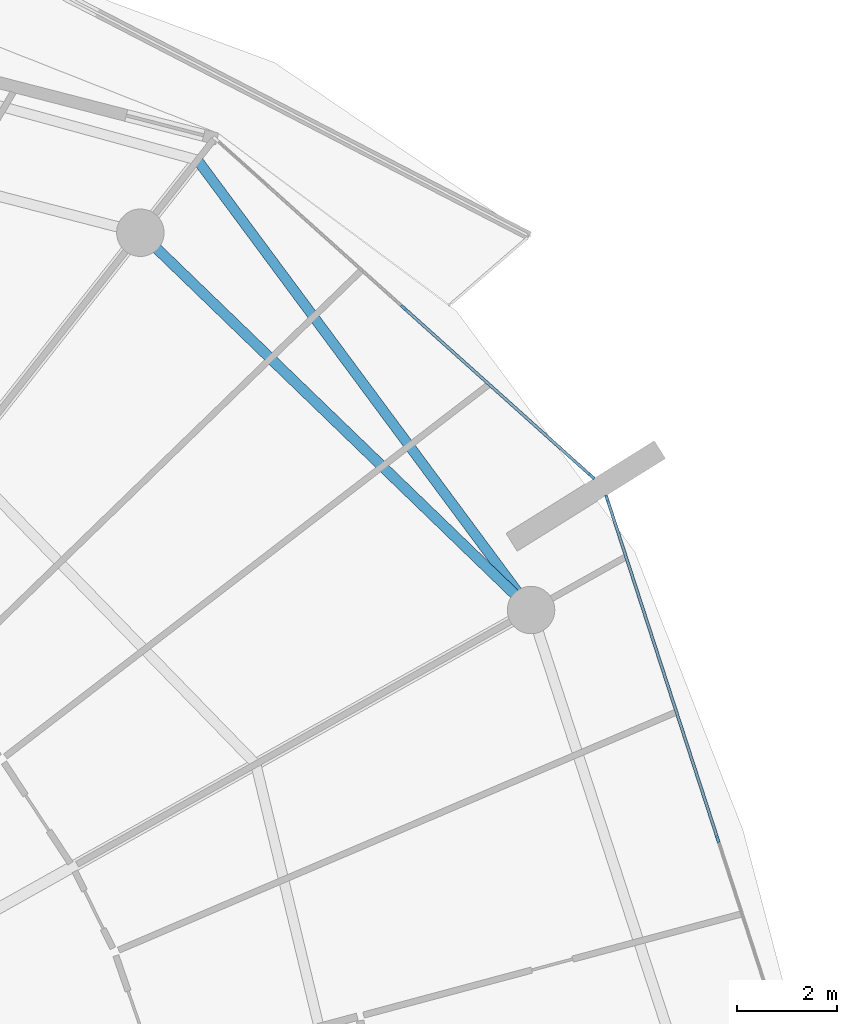
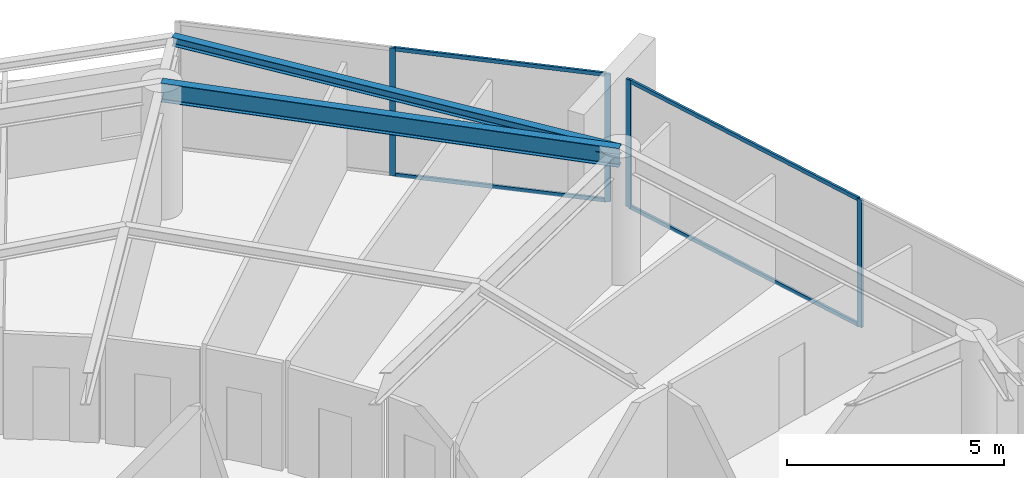
# One storey, part 16 of 31: 8 members, 2 beams, 2 elements without a shape of their own.
"""IFC4 building model written with IfcOpenShell, lengths in metres."""

from ifc_helpers import new_model, si_unit, direction, frame, origin, origin_2d, place, context, subcontext, project, spatial, rectangle, i_section, extrude, material, layer, layer_set, material_profile, profile_set, type_object, element, aggregate, save


model = new_model("IFC4")

# Units and contexts
model_context = context("Model", 3, precision=1e-05, world=origin(), true_north=direction((0.0, 1.0)))
body_context = subcontext(model_context, "Body", "Model", "MODEL_VIEW")
ifc_project = project(units=[si_unit("LENGTHUNIT", "METRE"), si_unit("AREAUNIT", "SQUARE_METRE"), si_unit("VOLUMEUNIT", "CUBIC_METRE"), si_unit("PLANEANGLEUNIT", "RADIAN"), si_unit("MASSUNIT", "GRAM", prefix="KILO")], contexts=[model_context])

# Site, building, storey
site_placement = place(None, origin())
site = spatial("IfcSite", under=ifc_project, at=site_placement, CompositionType="ELEMENT")
building_placement = place(site_placement, origin())
building = spatial("IfcBuilding", under=site, at=building_placement, Name="Kazma Halo Residences", CompositionType="ELEMENT")
storey_placement = place(building_placement, frame((0.0, 0.0, 271.35009765625)))
storey = spatial("IfcBuildingStorey", under=building, at=storey_placement, Name="L68", CompositionType="ELEMENT", Elevation=271.35009765625)

# Beams
ifc_material_1 = material(Name="Steel S355", Category="steel")
ifc_material_profile_1 = material_profile(ifc_material_1, i_section(OverallWidth=0.201904296875, OverallDepth=0.2470703125, WebThickness=0.00732421875, FlangeThickness=0.010986328125, FilletRadius=0.011962890625, at=origin_2d()), Name="W250x49.1")
ifc_profile_set_1 = profile_set([ifc_material_profile_1], Name="Steel S355")
beam_type_1 = type_object("IfcBeamType", Name="BM-BAL-CANT", PredefinedType="BEAM", material=ifc_profile_set_1)
beam_1_placement = place(storey_placement, frame((72.67041015625, 55.81591796875, 3.46630859375), z_axis=(-0.595556062515, 0.803313747176, 0.0), x_axis=(-0.803313747176, -0.595556062515, 0.0)))
element("IfcBeam", 1, at=beam_1_placement, inside=storey, type_object=beam_type_1, Name="L68 wave-balcony lead tie beam 01", PredefinedType="BEAM", context=body_context, shape_type="SweptSolid", body=[
    extrude(i_section(OverallWidth=0.201904296875, OverallDepth=0.2470703125, WebThickness=0.00732421875, FlangeThickness=0.010986328125, FilletRadius=0.011962890625, at=origin_2d()), origin(), (0.0, 0.0, 1.0), 11.213134765625),
])
ifc_material_profile_2 = material_profile(ifc_material_1, i_section(OverallWidth=0.208984375, OverallDepth=0.532958984375, WebThickness=0.01025390625, FlangeThickness=0.015625, FilletRadius=0.01611328125, at=origin_2d()), Name="W530x92")
ifc_profile_set_2 = profile_set([ifc_material_profile_2], Name="Steel S355")
beam_type_2 = type_object("IfcBeamType", Name="BM-SPN-W530", PredefinedType="BEAM", material=ifc_profile_set_2)
beam_2_placement = place(storey_placement, frame((72.67041015625, 55.81591796875, 3.323486328125), z_axis=(-0.719345757929, 0.694652201141, 0.0), x_axis=(-0.694652201141, -0.719345757929, 0.0)))
element("IfcBeam", 2, at=beam_2_placement, inside=storey, type_object=beam_type_2, Name="L68 perimeter ring beam 01", PredefinedType="BEAM", context=body_context, shape_type="SweptSolid", body=[
    extrude(i_section(OverallWidth=0.208984375, OverallDepth=0.532958984375, WebThickness=0.01025390625, FlangeThickness=0.015625, FilletRadius=0.01611328125, at=origin_2d()), origin(), (0.0, 0.0, 1.0), 10.87548828125),
])

# Curtain wall, members
ifc_material_2 = material(Name="Aluminium AW-6063 T6 and Triple-Silver Low-E Glass", Category="aluminium")
ifc_layer = layer(ifc_material_2, 0.139892578125)
ifc_layer_set = layer_set([ifc_layer], Name="Aluminium AW-6063 T6 and Triple-Silver Low-E Glass")
curtain_wall_type = type_object("IfcCurtainWallType", Name="CW-SYS-5", PredefinedType="NOTDEFINED", material=ifc_layer_set)
curtain_wall_1_placement = place(storey_placement, origin())
curtain_wall_1 = element("IfcCurtainWall", 3, at=curtain_wall_1_placement, inside=storey, type_object=curtain_wall_type, Name="L68 unitised curtain wall B01", PredefinedType="NOTDEFINED")
ifc_material_3 = material(Name="Aluminium AW-6063 T6", Category="aluminium")
ifc_material_profile_3 = material_profile(ifc_material_3, rectangle(XDim=0.06005859375, YDim=0.139892578125, at=origin_2d()), Name="CWM-60x140")
ifc_profile_set_3 = profile_set([ifc_material_profile_3], Name="Aluminium AW-6063 T6")
member_type_1 = type_object("IfcMemberType", Name="CW-SYS-5-MUL", PredefinedType="MULLION", material=ifc_profile_set_3)
member_1_placement = place(storey_placement, frame((73.88330078125, 58.491943359375, 0.0), z_axis=(0.0, 0.0, 1.0), x_axis=(-0.667804826958, -0.744336424671, 0.0)))
member_1 = element("IfcMember", 4, at=member_1_placement, type_object=member_type_1, Name="CWS-5 mullion 1", PredefinedType="MULLION", context=body_context, shape_type="SweptSolid", body=[
    extrude(rectangle(XDim=0.06005859375, YDim=0.139892578125, at=origin_2d()), origin(), (0.0, 0.0, 1.0), 3.58984375),
])
member_2_placement = place(storey_placement, frame((70.121826171875, 61.86669921875, 0.0), z_axis=(0.0, 0.0, 1.0), x_axis=(-0.667804826958, -0.744336424671, 0.0)))
member_2 = element("IfcMember", 5, at=member_2_placement, type_object=member_type_1, Name="CWS-5 mullion 2", PredefinedType="MULLION", context=body_context, shape_type="SweptSolid", body=[
    extrude(rectangle(XDim=0.06005859375, YDim=0.139892578125, at=origin_2d()), origin(), (0.0, 0.0, 1.0), 3.58984375),
])

curtain_wall_2_placement = place(storey_placement, origin())
curtain_wall_2 = element("IfcCurtainWall", 6, at=curtain_wall_2_placement, inside=storey, type_object=curtain_wall_type, Name="L68 unitised curtain wall B16", PredefinedType="NOTDEFINED")
member_3_placement = place(storey_placement, frame((76.40771484375, 51.230224609375, 0.0), z_axis=(0.0, 0.0, 1.0), x_axis=(-0.951058464359, -0.309010998786, 0.0)))
member_3 = element("IfcMember", 7, at=member_3_placement, type_object=member_type_1, Name="CWS-5 mullion 2", PredefinedType="MULLION", context=body_context, shape_type="SweptSolid", body=[
    extrude(rectangle(XDim=0.06005859375, YDim=0.139892578125, at=origin_2d()), origin(), (0.0, 0.0, 1.0), 3.58984375),
])
member_4_placement = place(storey_placement, frame((74.1923828125, 58.0478515625, 0.0), z_axis=(0.0, 0.0, 1.0), x_axis=(-0.951058464359, -0.309010998786, 0.0)))
member_4 = element("IfcMember", 8, at=member_4_placement, type_object=member_type_1, Name="CWS-5 mullion 3", PredefinedType="MULLION", context=body_context, shape_type="SweptSolid", body=[
    extrude(rectangle(XDim=0.06005859375, YDim=0.139892578125, at=origin_2d()), origin(), (0.0, 0.0, 1.0), 3.58984375),
])

# Member
ifc_material_profile_4 = material_profile(ifc_material_3, rectangle(XDim=0.06005859375, YDim=0.10498046875, at=origin_2d()), Name="CWT-60x105")
ifc_profile_set_4 = profile_set([ifc_material_profile_4], Name="Aluminium AW-6063 T6")
member_type_2 = type_object("IfcMemberType", Name="CW-SYS-5-TRN", PredefinedType="USERDEFINED", material=ifc_profile_set_4)
member_5_placement = place(storey_placement, frame((73.861083984375, 58.511962890625, 0.02978515625), z_axis=(-0.744328897483, 0.667813216679, 0.0), x_axis=(-0.667813216679, -0.744328897483, 0.0)))
member_5 = element("IfcMember", 9, at=member_5_placement, type_object=member_type_2, Name="CWS-5 transom 1.1", ObjectType="TRANSOM", PredefinedType="USERDEFINED", context=body_context, shape_type="SweptSolid", body=[
    extrude(rectangle(XDim=0.06005859375, YDim=0.10498046875, at=origin_2d()), origin(), (0.0, 0.0, 1.0), 4.993408203125),
])

member_6_placement = place(storey_placement, frame((73.861083984375, 58.511962890625, 3.559814453125), z_axis=(-0.744328897483, 0.667813216679, 0.0), x_axis=(-0.667813216679, -0.744328897483, 0.0)))
member_6 = element("IfcMember", 10, at=member_6_placement, type_object=member_type_2, Name="CWS-5 transom 1.2", ObjectType="TRANSOM", PredefinedType="USERDEFINED", context=body_context, shape_type="SweptSolid", body=[
    extrude(rectangle(XDim=0.06005859375, YDim=0.10498046875, at=origin_2d()), origin(), (0.0, 0.0, 1.0), 4.993408203125),
])

aggregate(curtain_wall_1, [member_1, member_2, member_5, member_6])

member_7_placement = place(storey_placement, frame((76.3984375, 51.2587890625, 0.02978515625), z_axis=(-0.309027052142, 0.95105324827, 0.0), x_axis=(-0.95105324827, -0.309027052142, 0.0)))
member_7 = element("IfcMember", 11, at=member_7_placement, type_object=member_type_2, Name="CWS-5 transom 2.1", ObjectType="TRANSOM", PredefinedType="USERDEFINED", context=body_context, shape_type="SweptSolid", body=[
    extrude(rectangle(XDim=0.06005859375, YDim=0.10498046875, at=origin_2d()), origin(), (0.0, 0.0, 1.0), 7.108642578125),
])

member_8_placement = place(storey_placement, frame((76.3984375, 51.2587890625, 3.559814453125), z_axis=(-0.309027052142, 0.95105324827, 0.0), x_axis=(-0.95105324827, -0.309027052142, 0.0)))
member_8 = element("IfcMember", 12, at=member_8_placement, type_object=member_type_2, Name="CWS-5 transom 2.2", ObjectType="TRANSOM", PredefinedType="USERDEFINED", context=body_context, shape_type="SweptSolid", body=[
    extrude(rectangle(XDim=0.06005859375, YDim=0.10498046875, at=origin_2d()), origin(), (0.0, 0.0, 1.0), 7.108642578125),
])

aggregate(curtain_wall_2, [member_3, member_4, member_7, member_8])

save(model, "model.ifc")
